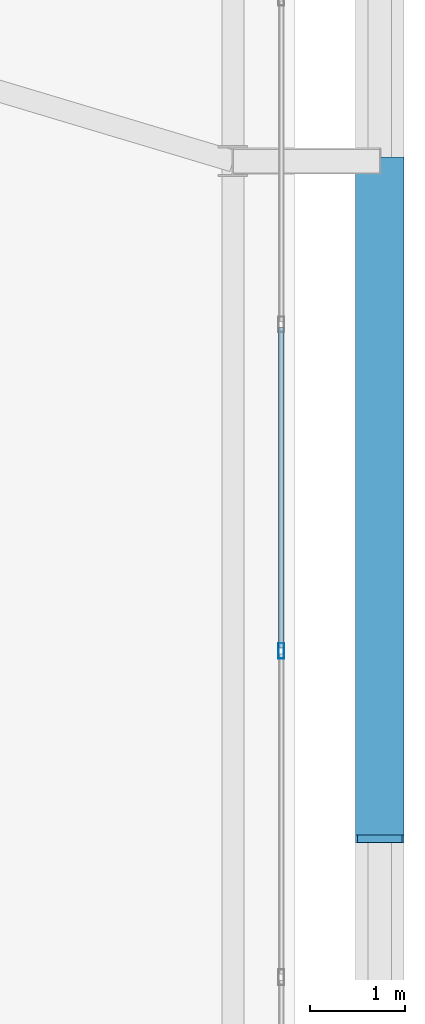
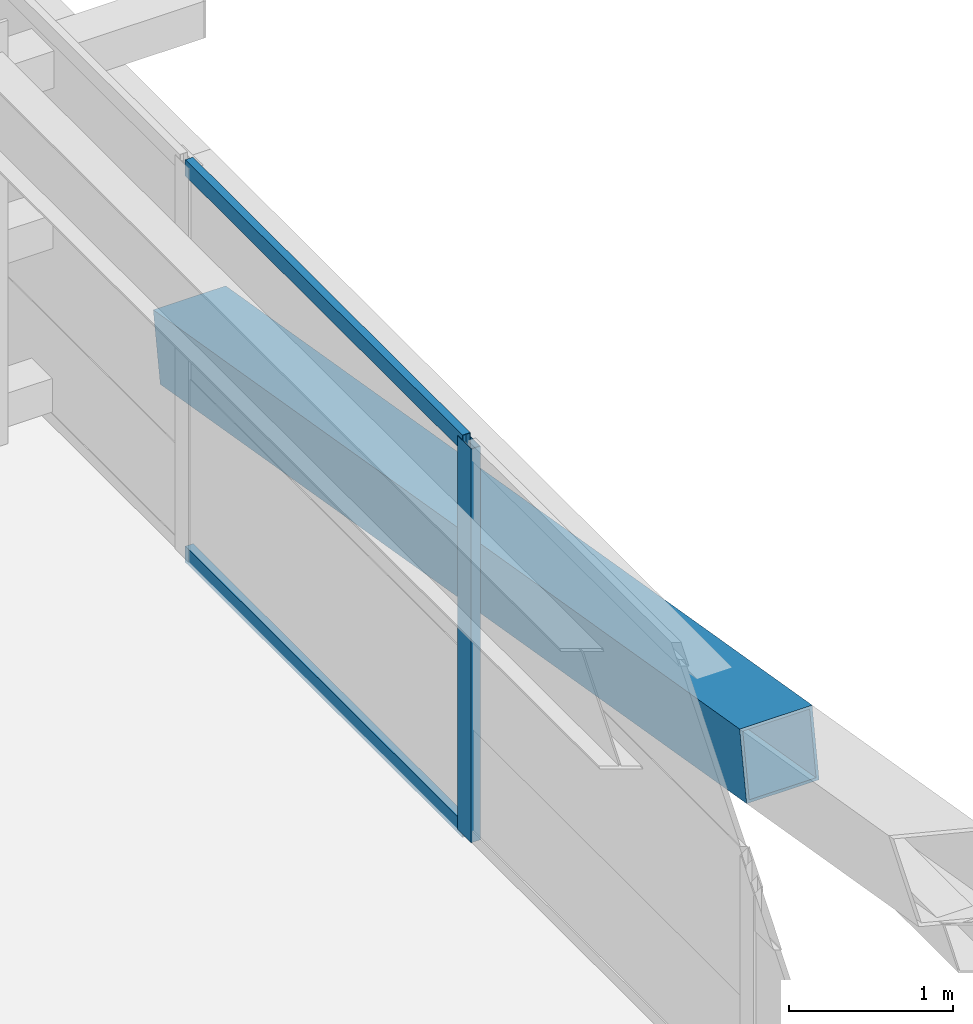
# One storey, part 28 of 58: 4 members, 1 element without a shape of its own.
"""IFC4 building model written with IfcOpenShell, lengths in metres."""

from ifc_helpers import new_model, si_unit, direction, frame, origin, origin_2d, place, context, subcontext, project, spatial, hollow_rectangle, extrude, source, transform, mapped, material, layer, layer_set, material_profile, profile_set, type_object, element, aggregate, save


model = new_model("IFC4")

# Units and contexts
model_context = context("Model", 3, precision=1e-05, world=origin(), true_north=direction((0.0, 1.0)))
body_context = subcontext(model_context, "Body", "Model", "MODEL_VIEW")
ifc_project = project(units=[si_unit("LENGTHUNIT", "METRE"), si_unit("AREAUNIT", "SQUARE_METRE"), si_unit("VOLUMEUNIT", "CUBIC_METRE"), si_unit("PLANEANGLEUNIT", "RADIAN"), si_unit("MASSUNIT", "GRAM", prefix="KILO")], contexts=[model_context])

# Site, building, storey
site_placement = place(None, origin())
site = spatial("IfcSite", under=ifc_project, at=site_placement, CompositionType="ELEMENT")
building_placement = place(site_placement, origin())
building = spatial("IfcBuilding", under=site, at=building_placement, Name="Taldren Reach Tower", CompositionType="ELEMENT")
storey_placement = place(building_placement, frame((0.0, 0.0, 32.550048828125)))
storey = spatial("IfcBuildingStorey", under=building, at=storey_placement, Name="L09", CompositionType="ELEMENT", Elevation=32.550048828125)

# Member
ifc_material_1 = material(Name="Steel Gr 450 (C450L0)", Category="steel")
ifc_material_profile_1 = material_profile(ifc_material_1, hollow_rectangle(XDim=0.510009765625, YDim=0.510009765625, WallThickness=0.02001953125, at=origin_2d()), Name="510x510x20.0SHS")
ifc_profile_set_1 = profile_set([ifc_material_profile_1], Name="Steel Gr 450 (C450L0)")
member_type_1 = type_object("IfcMemberType", Name="MB-EXO508", PredefinedType="BRACE", material=ifc_profile_set_1)
shared_shape_1 = source(origin(), body_context, "Body", "SweptSolid", [
    extrude(hollow_rectangle(XDim=0.510009765625, YDim=0.510009765625, WallThickness=0.02001953125, at=origin_2d()), origin(), (0.0, 0.0, 1.0), 7.25244140625),
])
member_1_placement = place(storey_placement, frame((65.89990234375, 20.0, 0.219970703125), z_axis=(0.0, -0.985864855729, 0.167542490848), x_axis=(1.0, 0.0, 0.0)))
element("IfcMember", 1, at=member_1_placement, inside=storey, type_object=member_type_1, Name="Exoskeleton Diagrid Brace B1-E1 L09", PredefinedType="BRACE", context=body_context, shape_type="MappedRepresentation", body=[
    mapped(shared_shape_1, transform((0.0, 0.0, 0.0), scale=1.0)),
])

# Curtain wall, members
ifc_material_2 = material(Name="Aluminium and Low-E Glass Unitised System", Category="aluminium")
ifc_layer = layer(ifc_material_2, 0.159912109375)
ifc_layer_set = layer_set([ifc_layer], Name="Aluminium and Low-E Glass Unitised System")
curtain_wall_type = type_object("IfcCurtainWallType", Name="CW-SYS-2", PredefinedType="NOTDEFINED", material=ifc_layer_set)
curtain_wall_placement = place(storey_placement, origin())
curtain_wall = element("IfcCurtainWall", 2, at=curtain_wall_placement, inside=storey, type_object=curtain_wall_type, Name="Unitised curtain wall CW-L09-E", PredefinedType="NOTDEFINED")
ifc_material_3 = material(Name="Anodised Aluminium 6063-T6", Category="aluminium")
ifc_material_profile_2 = material_profile(ifc_material_3, hollow_rectangle(XDim=0.06494140625, YDim=0.1650390625, WallThickness=0.00390625, at=origin_2d()), Name="ALU-165x65x4RHS")
ifc_profile_set_2 = profile_set([ifc_material_profile_2], Name="Anodised Aluminium 6063-T6")
member_type_2 = type_object("IfcMemberType", Name="CW-MUL-165", PredefinedType="MULLION", material=ifc_profile_set_2)
shared_shape_2 = source(origin(), body_context, "Body", "SweptSolid", [
    extrude(hollow_rectangle(XDim=0.06494140625, YDim=0.1650390625, WallThickness=0.00390625, at=origin_2d()), origin(), (0.0, 0.0, 1.0), 2.929931640625),
])
member_2_placement = place(storey_placement, frame((64.860107421875, 14.833251953125, 0.0), z_axis=(0.0, 0.0, 1.0), x_axis=(-1.0, 0.0, 0.0)))
member_2 = element("IfcMember", 3, at=member_2_placement, type_object=member_type_2, Name="CW-2 mullion 4", PredefinedType="MULLION", context=body_context, shape_type="MappedRepresentation", body=[
    mapped(shared_shape_2, transform((0.0, 0.0, 0.0), scale=1.0)),
])
ifc_material_profile_3 = material_profile(ifc_material_3, hollow_rectangle(XDim=0.054931640625, YDim=0.1201171875, WallThickness=0.0029296875, at=origin_2d()), Name="ALU-120x55x3RHS")
ifc_profile_set_3 = profile_set([ifc_material_profile_3], Name="Anodised Aluminium 6063-T6")
member_type_3 = type_object("IfcMemberType", Name="CW-TRN-135", PredefinedType="USERDEFINED", material=ifc_profile_set_3)
shared_shape_3 = source(origin(), body_context, "Body", "SweptSolid", [
    extrude(hollow_rectangle(XDim=0.054931640625, YDim=0.1201171875, WallThickness=0.0029296875, at=origin_2d()), origin(), (0.0, 0.0, 1.0), 3.379638671875),
])
member_3_placement = place(storey_placement, frame((64.860107421875, 14.86572265625, 0.02734375), z_axis=(0.0, 1.0, 0.0), x_axis=(-1.0, 0.0, 0.0)))
member_3 = element("IfcMember", 4, at=member_3_placement, type_object=member_type_3, Name="CW-2 transom 4.1", ObjectType="TRANSOM", PredefinedType="USERDEFINED", context=body_context, shape_type="MappedRepresentation", body=[
    mapped(shared_shape_3, transform((0.0, 0.0, 0.0), scale=1.0)),
])
member_4_placement = place(storey_placement, frame((64.860107421875, 14.86572265625, 2.90234375), z_axis=(0.0, 1.0, 0.0), x_axis=(-1.0, 0.0, 0.0)))
member_4 = element("IfcMember", 5, at=member_4_placement, type_object=member_type_3, Name="CW-2 transom 4.2", ObjectType="TRANSOM", PredefinedType="USERDEFINED", context=body_context, shape_type="MappedRepresentation", body=[
    mapped(shared_shape_3, transform((0.0, 0.0, 0.0), scale=1.0)),
])
aggregate(curtain_wall, [member_2, member_3, member_4])

save(model, "model.ifc")
